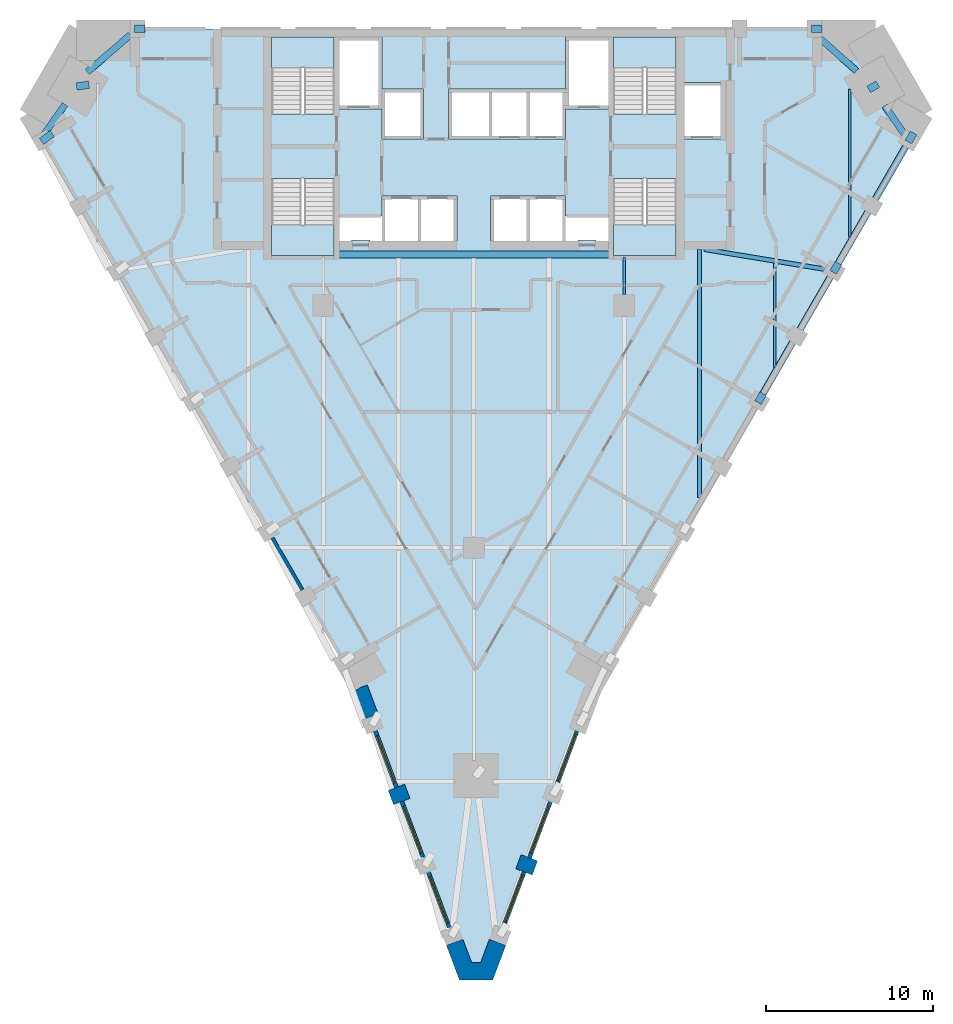
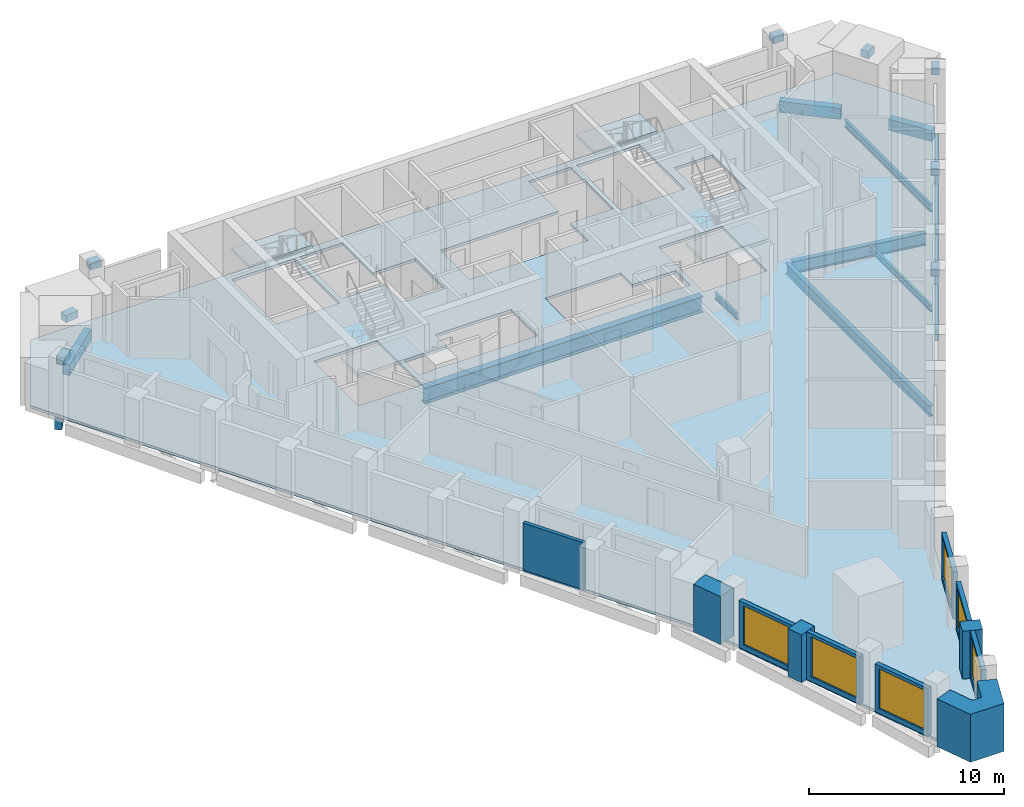
# One storey, part 2 of 10: 20 beams, 11 walls, 6 windows, 5 slabs, 6 openings, 4 elements without a shape of their own.
"""IFC4 building model written with IfcOpenShell, lengths in metres."""

from ifc_helpers import new_model, si_unit, direction, frame, frame_2d, origin, origin_2d, place, context, subcontext, project, spatial, polyline, rectangle, i_section, outline, extrude, material, layer, layer_set, material_profile, profile_set, type_object, element, fill, aggregate, save


model = new_model("IFC4")

# Units and contexts
model_context = context("Model", 3, precision=1e-05, world=origin(), true_north=direction((0.0, 1.0)))
body_context = subcontext(model_context, "Body", "Model", "MODEL_VIEW")
ifc_project = project(units=[si_unit("LENGTHUNIT", "METRE"), si_unit("AREAUNIT", "SQUARE_METRE"), si_unit("VOLUMEUNIT", "CUBIC_METRE"), si_unit("PLANEANGLEUNIT", "RADIAN"), si_unit("MASSUNIT", "GRAM", prefix="KILO")], contexts=[model_context])

# Site, building, storey
site_placement = place(None, origin())
site = spatial("IfcSite", under=ifc_project, at=site_placement, CompositionType="ELEMENT")
building_placement = place(site_placement, origin())
building = spatial("IfcBuilding", under=site, at=building_placement, Name="Calabash Gate Tower", CompositionType="ELEMENT")
storey_placement = place(building_placement, frame((0.0, 0.0, 164.10009765625)))
storey = spatial("IfcBuildingStorey", under=building, at=storey_placement, Name="L38", CompositionType="ELEMENT", Elevation=164.10009765625)

# Beams
ifc_material_1 = material(Name="Concrete C80/95", Category="concrete")
ifc_material_profile_1 = material_profile(ifc_material_1, rectangle(XDim=0.449951171875, YDim=0.449951171875, at=origin_2d()))
ifc_profile_set_1 = profile_set([ifc_material_profile_1], Name="Concrete C80/95")
beam_type_1 = type_object("IfcBeamType", Name="Column offset link RC 450x450 Concrete C80/95", PredefinedType="BEAM", material=ifc_profile_set_1)
beam_1_placement = place(storey_placement, frame((23.6259765625, 15.424072265625, 3.50390625), z_axis=(0.866282275329, 0.499554821267, 0.0), x_axis=(-0.499554821267, 0.866282275329, 0.0)))
element("IfcBeam", 1, at=beam_1_placement, inside=storey, type_object=beam_type_1, Name="Column offset link L38 NE", PredefinedType="BEAM", context=body_context, shape_type="SweptSolid", body=[
    extrude(rectangle(XDim=0.449951171875, YDim=0.449951171875, at=origin_2d()), origin(), (0.0, 0.0, 1.0), 0.63037109375),
])
beam_2_placement = place(storey_placement, frame((-23.77294921875, 15.595947265625, 3.50390625), z_axis=(0.989878083719, 0.141920327551, 0.0), x_axis=(-0.141920327551, 0.989878083719, 0.0)))
element("IfcBeam", 2, at=beam_2_placement, inside=storey, type_object=beam_type_1, Name="Column offset link L38 NW", PredefinedType="BEAM", context=body_context, shape_type="SweptSolid", body=[
    extrude(rectangle(XDim=0.449951171875, YDim=0.449951171875, at=origin_2d()), origin(), (0.0, 0.0, 1.0), 0.75341796875),
])
beam_3_placement = place(storey_placement, frame((16.998046875, -3.31396484375, 3.50390625), z_axis=(0.500393920955, 0.865797853931, 0.0), x_axis=(-0.865797853931, 0.500393920955, 0.0)))
element("IfcBeam", 3, at=beam_3_placement, inside=storey, type_object=beam_type_1, Name="Column offset link L38 P11", PredefinedType="BEAM", context=body_context, shape_type="SweptSolid", body=[
    extrude(rectangle(XDim=0.449951171875, YDim=0.449951171875, at=origin_2d()), origin(), (0.0, 0.0, 1.0), 0.62939453125),
])
beam_4_placement = place(storey_placement, frame((21.498046875, 4.47998046875, 3.50390625), z_axis=(0.49972245349, 0.866185586049, 0.0), x_axis=(-0.866185586049, 0.49972245349, 0.0)))
element("IfcBeam", 4, at=beam_4_placement, inside=storey, type_object=beam_type_1, Name="Column offset link L38 P12", PredefinedType="BEAM", context=body_context, shape_type="SweptSolid", body=[
    extrude(rectangle(XDim=0.449951171875, YDim=0.449951171875, at=origin_2d()), origin(), (0.0, 0.0, 1.0), 0.630126953125),
])
beam_5_placement = place(storey_placement, frame((25.998046875, 12.27392578125, 3.50390625), z_axis=(0.499554821267, 0.866282275329, 0.0), x_axis=(-0.866282275329, 0.499554821267, 0.0)))
element("IfcBeam", 5, at=beam_5_placement, inside=storey, type_object=beam_type_1, Name="Column offset link L38 P13", PredefinedType="BEAM", context=body_context, shape_type="SweptSolid", body=[
    extrude(rectangle(XDim=0.449951171875, YDim=0.449951171875, at=origin_2d()), origin(), (0.0, 0.0, 1.0), 0.63037109375),
])
beam_6_placement = place(storey_placement, frame((-20.300048828125, 19.052978515625, 3.50390625), z_axis=(1.0, 0.0, 0.0), x_axis=(0.0, 1.0, 0.0)))
element("IfcBeam", 6, at=beam_6_placement, inside=storey, type_object=beam_type_1, Name="Column offset link L38 P17", PredefinedType="BEAM", context=body_context, shape_type="SweptSolid", body=[
    extrude(rectangle(XDim=0.449951171875, YDim=0.449951171875, at=origin_2d()), origin(), (0.0, 0.0, 1.0), 0.630126953125),
])
beam_7_placement = place(storey_placement, frame((-25.85888671875, 12.31103515625, 3.50390625), z_axis=(0.795867172956, 0.605471256965, 0.0), x_axis=(-0.605471256965, 0.795867172956, 0.0)))
element("IfcBeam", 7, at=beam_7_placement, inside=storey, type_object=beam_type_1, Name="Column offset link L38 P20", PredefinedType="BEAM", context=body_context, shape_type="SweptSolid", body=[
    extrude(rectangle(XDim=0.449951171875, YDim=0.449951171875, at=origin_2d()), origin(), (0.0, 0.0, 1.0), 0.797607421875),
])
beam_8_placement = place(storey_placement, frame((20.199951171875, 19.052978515625, 3.50390625), z_axis=(1.0, 0.0, 0.0), x_axis=(0.0, 1.0, 0.0)))
element("IfcBeam", 8, at=beam_8_placement, inside=storey, type_object=beam_type_1, Name="Column offset link L38 P24", PredefinedType="BEAM", context=body_context, shape_type="SweptSolid", body=[
    extrude(rectangle(XDim=0.449951171875, YDim=0.449951171875, at=origin_2d()), origin(), (0.0, 0.0, 1.0), 0.630126953125),
])
ifc_material_2 = material(Name="Concrete C50/60", Category="concrete")
ifc_material_profile_2 = material_profile(ifc_material_2, rectangle(XDim=0.39990234375, YDim=0.699951171875, at=origin_2d()))
ifc_profile_set_2 = profile_set([ifc_material_profile_2], Name="Concrete C50/60")
beam_type_2 = type_object("IfcBeamType", Name="Edge beam RC 400x700 Concrete C50/60", PredefinedType="BEAM", material=ifc_profile_set_2)
for number, where, z_axis, x_axis, name in (
    (9, (17.06298828125, -3.200927734375, -0.52001953125), (0.500090067066, 0.865973397295, 0.0), (-0.865973397295, 0.500090067066, 0.0), "Edge beam L38 13"),
    (10, (21.56298828125, 4.593017578125, -0.52001953125), (0.500090067066, 0.865973397295, 0.0), (-0.865973397295, 0.500090067066, 0.0), "Edge beam L38 14"),
):
    element("IfcBeam", number, at=place(storey_placement, frame(where, z_axis=z_axis, x_axis=x_axis)), inside=storey, type_object=beam_type_2, Name=name, PredefinedType="BEAM", context=body_context, shape_type="SweptSolid", body=[
        extrude(rectangle(XDim=0.39990234375, YDim=0.699951171875, at=origin_2d()), origin(), (0.0, 0.0, 1.0), 8.54638671875),
    ])
beam_9_placement = place(storey_placement, frame((25.98193359375, 12.44189453125, -0.52001953125), z_axis=(-0.57298674454, 0.81956463478, 0.0), x_axis=(-0.81956463478, -0.57298674454, 0.0)))
element("IfcBeam", 11, at=beam_9_placement, inside=storey, type_object=beam_type_2, Name="Edge beam L38 15", PredefinedType="BEAM", context=body_context, shape_type="SweptSolid", body=[
    extrude(rectangle(XDim=0.39990234375, YDim=0.699951171875, at=origin_2d()), origin(), (0.0, 0.0, 1.0), 2.446533203125),
])
beam_10_placement = place(storey_placement, frame((22.89794921875, 16.533935546875, -0.52001953125), z_axis=(-0.747778716146, 0.663948033869, 0.0), x_axis=(-0.663948033869, -0.747778716146, 0.0)))
element("IfcBeam", 12, at=beam_10_placement, inside=storey, type_object=beam_type_2, Name="Edge beam L38 16", PredefinedType="BEAM", context=body_context, shape_type="SweptSolid", body=[
    extrude(rectangle(XDim=0.39990234375, YDim=0.699951171875, at=origin_2d()), origin(), (0.0, 0.0, 1.0), 3.244384765625),
])
beam_11_placement = place(storey_placement, frame((-20.5458984375, 18.69189453125, -0.52001953125), z_axis=(-0.756580943193, -0.65390005077, 0.0), x_axis=(0.65390005077, -0.756580943193, 0.0)))
element("IfcBeam", 13, at=beam_11_placement, inside=storey, type_object=beam_type_2, Name="Edge beam L38 17", PredefinedType="BEAM", context=body_context, shape_type="SweptSolid", body=[
    extrude(rectangle(XDim=0.39990234375, YDim=0.699951171875, at=origin_2d()), origin(), (0.0, 0.0, 1.0), 3.40234375),
])
beam_12_placement = place(storey_placement, frame((-24.452880859375, 14.528076171875, -0.52001953125), z_axis=(-0.572412684856, -0.819965681121, 0.0), x_axis=(0.819965681121, -0.572412684856, 0.0)))
element("IfcBeam", 14, at=beam_12_placement, inside=storey, type_object=beam_type_2, Name="Edge beam L38 18", PredefinedType="BEAM", context=body_context, shape_type="SweptSolid", body=[
    extrude(rectangle(XDim=0.39990234375, YDim=0.699951171875, at=origin_2d()), origin(), (0.0, 0.0, 1.0), 2.561279296875),
])
ifc_material_3 = material(Name="Steel ASTM A992 Gr50", Category="steel")
ifc_material_profile_3 = material_profile(ifc_material_3, i_section(OverallWidth=0.1396484375, OverallDepth=0.398681640625, WebThickness=0.00634765625, FlangeThickness=0.0087890625, FilletRadius=0.01025390625, at=origin_2d()))
ifc_profile_set_3 = profile_set([ifc_material_profile_3], Name="Steel ASTM A992 Gr50")
beam_type_3 = type_object("IfcBeamType", Name="Floor beam W16x26 ASTM A992 Gr50", PredefinedType="BEAM", material=ifc_profile_set_3)
beam_13_placement = place(storey_placement, frame((9.0, 3.14990234375, -0.369140625), z_axis=(0.0, 1.0, 0.0), x_axis=(-1.0, 0.0, 0.0)))
element("IfcBeam", 15, at=beam_13_placement, inside=storey, type_object=beam_type_3, Name="Floor beam L38 15", PredefinedType="BEAM", context=body_context, shape_type="SweptSolid", body=[
    extrude(i_section(OverallWidth=0.1396484375, OverallDepth=0.398681640625, WebThickness=0.00634765625, FlangeThickness=0.0087890625, FilletRadius=0.01025390625, at=origin_2d()), origin(), (0.0, 0.0, 1.0), 2.253173828125),
])
beam_14_placement = place(storey_placement, frame((18.0, -1.2109375, -0.369140625), z_axis=(0.0, 1.0, 0.0), x_axis=(-1.0, 0.0, 0.0)))
element("IfcBeam", 16, at=beam_14_placement, inside=storey, type_object=beam_type_3, Name="Floor beam L38 17", PredefinedType="BEAM", context=body_context, shape_type="SweptSolid", body=[
    extrude(i_section(OverallWidth=0.1396484375, OverallDepth=0.398681640625, WebThickness=0.00634765625, FlangeThickness=0.0087890625, FilletRadius=0.01025390625, at=origin_2d()), origin(), (0.0, 0.0, 1.0), 6.2509765625),
])
ifc_material_4 = material(Name="Steel ASTM A992 Gr50", Category="steel")
ifc_material_profile_4 = material_profile(ifc_material_4, i_section(OverallWidth=0.15234375, OverallDepth=0.44970703125, WebThickness=0.007568359375, FlangeThickness=0.0107421875, FilletRadius=0.01025390625, at=origin_2d()))
ifc_profile_set_4 = profile_set([ifc_material_profile_4], Name="Steel ASTM A992 Gr50")
beam_type_4 = type_object("IfcBeamType", Name="Floor beam W18x35 ASTM A992 Gr50", PredefinedType="BEAM", material=ifc_profile_set_4)
beam_15_placement = place(storey_placement, frame((22.5, 6.5830078125, -0.39306640625), z_axis=(0.0, 1.0, 0.0), x_axis=(-1.0, 0.0, 0.0)))
element("IfcBeam", 17, at=beam_15_placement, inside=storey, type_object=beam_type_4, Name="Floor beam L38 18", PredefinedType="BEAM", context=body_context, shape_type="SweptSolid", body=[
    extrude(i_section(OverallWidth=0.15234375, OverallDepth=0.44970703125, WebThickness=0.007568359375, FlangeThickness=0.0107421875, FilletRadius=0.01025390625, at=origin_2d()), origin(), (0.0, 0.0, 1.0), 8.863037109375),
])
ifc_material_5 = material(Name="Steel ASTM A992 Gr50", Category="steel")
ifc_material_profile_5 = material_profile(ifc_material_5, i_section(OverallWidth=0.25390625, OverallDepth=0.67822265625, WebThickness=0.01171875, FlangeThickness=0.016357421875, FilletRadius=0.01513671875, at=origin_2d()))
ifc_profile_set_5 = profile_set([ifc_material_profile_5], Name="Steel ASTM A992 Gr50")
beam_type_5 = type_object("IfcBeamType", Name="Floor beam W27x84 ASTM A992 Gr50", PredefinedType="BEAM", material=ifc_profile_set_5)
beam_16_placement = place(storey_placement, frame((13.5, -9.0029296875, -0.509033203125), z_axis=(0.0, 1.0, 0.0), x_axis=(-1.0, 0.0, 0.0)))
element("IfcBeam", 18, at=beam_16_placement, inside=storey, type_object=beam_type_5, Name="Floor beam L38 16", PredefinedType="BEAM", context=body_context, shape_type="SweptSolid", body=[
    extrude(i_section(OverallWidth=0.25390625, OverallDepth=0.67822265625, WebThickness=0.01171875, FlangeThickness=0.016357421875, FilletRadius=0.01513671875, at=origin_2d()), origin(), (0.0, 0.0, 1.0), 14.85595703125),
])
ifc_material_6 = material(Name="Steel ASTM A992 Gr50", Category="steel")
ifc_material_profile_6 = material_profile(ifc_material_6, i_section(OverallWidth=0.2666015625, OverallDepth=0.77978515625, WebThickness=0.0166015625, FlangeThickness=0.030029296875, FilletRadius=0.0166015625, at=origin_2d()))
ifc_profile_set_6 = profile_set([ifc_material_profile_6], Name="Steel ASTM A992 Gr50")
beam_type_6 = type_object("IfcBeamType", Name="Girder W30x148 ASTM A992 Gr50", PredefinedType="BEAM", material=ifc_profile_set_6)
beam_17_placement = place(storey_placement, frame((21.031982421875, 4.6630859375, -0.56005859375), z_axis=(-0.986668449856, 0.162743264251, 0.0), x_axis=(-0.162743264251, -0.986668449856, 0.0)))
element("IfcBeam", 19, at=beam_17_placement, inside=storey, type_object=beam_type_6, Name="Girder L38 3", PredefinedType="BEAM", context=body_context, shape_type="SweptSolid", body=[
    extrude(i_section(OverallWidth=0.2666015625, OverallDepth=0.77978515625, WebThickness=0.0166015625, FlangeThickness=0.030029296875, FilletRadius=0.0166015625, at=origin_2d()), origin(), (0.0, 0.0, 1.0), 7.341796875),
])
ifc_material_7 = material(Name="Steel ASTM A992 Gr50", Category="steel")
ifc_material_profile_7 = material_profile(ifc_material_7, i_section(OverallWidth=0.4013671875, OverallDepth=1.000732421875, WebThickness=0.01904296875, FlangeThickness=0.0361328125, FilletRadius=0.030029296875, at=origin_2d()))
ifc_profile_set_7 = profile_set([ifc_material_profile_7], Name="Steel ASTM A992 Gr50")
beam_type_7 = type_object("IfcBeamType", Name="Girder W40x249 ASTM A992 Gr50", PredefinedType="BEAM", material=ifc_profile_set_7)
beam_18_placement = place(storey_placement, frame((-8.25, 5.552978515625, -0.670166015625), z_axis=(1.0, 0.0, 0.0), x_axis=(0.0, 1.0, 0.0)))
element("IfcBeam", 20, at=beam_18_placement, inside=storey, type_object=beam_type_7, Name="Girder L38 1", PredefinedType="BEAM", context=body_context, shape_type="SweptSolid", body=[
    extrude(i_section(OverallWidth=0.4013671875, OverallDepth=1.000732421875, WebThickness=0.01904296875, FlangeThickness=0.0361328125, FilletRadius=0.030029296875, at=origin_2d()), origin(), (0.0, 0.0, 1.0), 16.5),
])

# Slab
ifc_material_8 = material(Name="Concrete C40/50", Category="concrete")
ifc_layer_1 = layer(ifc_material_8, 0.169921875)
ifc_layer_set_1 = layer_set([ifc_layer_1], Name="Composite floor slab 170 Concrete C40/50")
slab_type_1 = type_object("IfcSlabType", Name="Composite floor slab 170 Concrete C40/50", PredefinedType="FLOOR", material=ifc_layer_set_1)
slab_1_placement = place(storey_placement, frame((0.0, 0.0, -0.170166015625)))
element("IfcSlab", 21, at=slab_1_placement, inside=storey, type_object=slab_type_1, Name="Floor slab L38", PredefinedType="FLOOR", context=body_context, shape_type="SweptSolid", body=[
    extrude(outline(polyline([(-23.755615234375, 19.052490234375), (24.030517578125, 19.052490234375), (26.970947265625, 13.95947265625), (7.137451171875, -20.393310546875), (0.770751953125, -37.33251953125), (-0.495849609375, -37.33251953125), (-6.862548828125, -20.393310546875), (-26.696044921875, 13.95947265625), (-23.755615234375, 19.052490234375)]), holes=[polyline([(-3.25, 9.052490234375), (-5.5, 9.052490234375), (-5.5, 7.8525390625), (-8.050048828125, 7.8525390625), (-8.050048828125, 6.3525390625), (-7.324951171875, 6.3525390625), (-7.324951171875, 6.402587890625), (-6.22509765625, 6.402587890625), (-6.22509765625, 6.3525390625), (-5.5, 6.3525390625), (-3.25, 6.3525390625), (-1.0, 6.3525390625), (-1.0, 9.052490234375), (-3.25, 9.052490234375)]), polyline([(5.5, 6.3525390625), (6.22509765625, 6.3525390625), (6.22509765625, 6.402587890625), (7.324951171875, 6.402587890625), (7.324951171875, 6.3525390625), (8.050048828125, 6.3525390625), (8.050048828125, 7.8525390625), (5.5, 7.8525390625), (5.5, 9.052490234375), (3.25, 9.052490234375), (1.0, 9.052490234375), (1.0, 6.3525390625), (3.25, 6.3525390625), (5.5, 6.3525390625)]), polyline([(-5.5, 12.45263671875), (-3.0, 12.45263671875), (-3.0, 15.45263671875), (-5.5, 15.45263671875), (-5.5, 18.552490234375), (-8.050048828125, 18.552490234375), (-8.050048828125, 14.252685546875), (-5.5, 14.252685546875), (-5.5, 12.45263671875)]), polyline([(-1.5, 15.45263671875), (-1.5, 12.45263671875), (1.0, 12.45263671875), (3.25, 12.45263671875), (5.5, 12.45263671875), (5.5, 14.252685546875), (8.050048828125, 14.252685546875), (8.050048828125, 18.552490234375), (5.5, 18.552490234375), (5.5, 15.45263671875), (3.25, 15.45263671875), (1.0, 15.45263671875), (-1.5, 15.45263671875)]), polyline([(14.85009765625, 15.8525390625), (12.60009765625, 15.8525390625), (12.60009765625, 12.45263671875), (14.85009765625, 12.45263671875), (14.85009765625, 15.8525390625)]), polyline([(-8.35009765625, 18.552490234375), (-12.10009765625, 18.552490234375), (-12.10009765625, 13.95263671875), (-8.35009765625, 13.95263671875), (-8.35009765625, 18.552490234375)]), polyline([(-12.10009765625, 10.1025390625), (-12.10009765625, 5.502685546875), (-8.35009765625, 5.502685546875), (-8.35009765625, 10.1025390625), (-12.10009765625, 10.1025390625)]), polyline([(8.35009765625, 13.95263671875), (12.10009765625, 13.95263671875), (12.10009765625, 18.552490234375), (8.35009765625, 18.552490234375), (8.35009765625, 13.95263671875)]), polyline([(12.10009765625, 5.502685546875), (12.10009765625, 10.1025390625), (8.35009765625, 10.1025390625), (8.35009765625, 5.502685546875), (12.10009765625, 5.502685546875)])]), origin(), (0.0, 0.0, 1.0), 0.170166015625),
])

# Stair, slab
ifc_material_9 = material(Name="Concrete C40/50", Category="concrete")
stair_type = type_object("IfcStairType", Name="Exit stair 22 risers of 177.3 mm", PredefinedType="HALF_TURN_STAIR", material=ifc_material_9)
stair_1_placement = place(storey_placement, origin())
stair_1 = element("IfcStair", 22, at=stair_1_placement, inside=storey, type_object=stair_type, Name="L38 Exit stair ST1", PredefinedType="HALF_TURN_STAIR")
ifc_material_10 = material(Name="Concrete C40/50", Category="concrete")
ifc_layer_2 = layer(ifc_material_10, 0.199951171875)
ifc_layer_set_2 = layer_set([ifc_layer_2], Name="Stair landing SL200")
slab_type_2 = type_object("IfcSlabType", Name="Stair landing SL200", PredefinedType="LANDING", material=ifc_layer_set_2)
slab_2_placement = place(storey_placement, frame((0.0, 0.0, 1.75)))
slab_2 = element("IfcSlab", 23, at=slab_2_placement, type_object=slab_type_2, Name="ST1 landing 1", PredefinedType="LANDING", context=body_context, shape_type="SweptSolid", body=[
    extrude(outline(polyline([(-8.35009765625, 16.74267578125), (-8.35009765625, 18.552490234375), (-12.10009765625, 18.552490234375), (-12.10009765625, 16.74267578125), (-8.35009765625, 16.74267578125)])), origin(), (0.0, 0.0, 1.0), 0.199951171875),
])
aggregate(stair_1, [slab_2])

stair_2_placement = place(storey_placement, origin())
stair_2 = element("IfcStair", 24, at=stair_2_placement, inside=storey, type_object=stair_type, Name="L38 Exit stair ST2", PredefinedType="HALF_TURN_STAIR")
slab_3_placement = place(storey_placement, frame((0.0, 0.0, 1.75)))
slab_3 = element("IfcSlab", 25, at=slab_3_placement, type_object=slab_type_2, Name="ST2 landing 1", PredefinedType="LANDING", context=body_context, shape_type="SweptSolid", body=[
    extrude(outline(polyline([(-12.10009765625, 7.3125), (-12.10009765625, 5.502685546875), (-8.35009765625, 5.502685546875), (-8.35009765625, 7.3125), (-12.10009765625, 7.3125)])), origin(), (0.0, 0.0, 1.0), 0.199951171875),
])
aggregate(stair_2, [slab_3])

stair_3_placement = place(storey_placement, origin())
stair_3 = element("IfcStair", 26, at=stair_3_placement, inside=storey, type_object=stair_type, Name="L38 Exit stair ST3", PredefinedType="HALF_TURN_STAIR")
slab_4_placement = place(storey_placement, frame((0.0, 0.0, 1.75)))
slab_4 = element("IfcSlab", 27, at=slab_4_placement, type_object=slab_type_2, Name="ST3 landing 1", PredefinedType="LANDING", context=body_context, shape_type="SweptSolid", body=[
    extrude(outline(polyline([(12.10009765625, 16.74267578125), (12.10009765625, 18.552490234375), (8.35009765625, 18.552490234375), (8.35009765625, 16.74267578125), (12.10009765625, 16.74267578125)])), origin(), (0.0, 0.0, 1.0), 0.199951171875),
])
aggregate(stair_3, [slab_4])

stair_4_placement = place(storey_placement, origin())
stair_4 = element("IfcStair", 28, at=stair_4_placement, inside=storey, type_object=stair_type, Name="L38 Exit stair ST4", PredefinedType="HALF_TURN_STAIR")
slab_5_placement = place(storey_placement, frame((0.0, 0.0, 1.75)))
slab_5 = element("IfcSlab", 29, at=slab_5_placement, type_object=slab_type_2, Name="ST4 landing 1", PredefinedType="LANDING", context=body_context, shape_type="SweptSolid", body=[
    extrude(outline(polyline([(8.35009765625, 7.3125), (8.35009765625, 5.502685546875), (12.10009765625, 5.502685546875), (12.10009765625, 7.3125), (8.35009765625, 7.3125)])), origin(), (0.0, 0.0, 1.0), 0.199951171875),
])
aggregate(stair_4, [slab_5])

# Walls
ifc_material_11 = material(Name="Terracotta brick masonry, exposed face", Category="masonry")
ifc_layer_3 = layer(ifc_material_11, 1.050048828125)
ifc_layer_set_3 = layer_set([ifc_layer_3], Name="Brick end wall 1050")
wall_type_1 = type_object("IfcWallType", Name="Brick end wall 1050", PredefinedType="SOLIDWALL", material=ifc_layer_set_3)
for number, where, z_axis, x_axis, name in (
    (30, (-3.979248046875, -26.572021484375, 0.0), (0.0, 0.0, 1.0), (-0.936080509118, -0.351785844584, 0.0), "Brick pier S10 wedge1.1"),
    (31, (3.654052734375, -31.15380859375, 0.0), (0.0, 0.0, 1.0), (-0.936080509118, 0.351785844584, 0.0), "Brick pier S10 wedge3.1"),
):
    element("IfcWall", number, at=place(storey_placement, frame(where, z_axis=z_axis, x_axis=x_axis)), inside=storey, type_object=wall_type_1, Name=name, PredefinedType="SOLIDWALL", context=body_context, shape_type="SweptSolid", body=[
        extrude(rectangle(XDim=1.050048828125, YDim=0.89990234375, at=frame_2d((0.52490234375, 0.0))), origin(), (0.0, 0.0, 1.0), 3.0),
    ])
wall_1_placement = place(storey_placement, origin())
element("IfcWall", 32, at=wall_1_placement, inside=storey, type_object=wall_type_1, Name="Brick end wall S10 1", PredefinedType="SOLIDWALL", context=body_context, shape_type="SweptSolid", body=[
    extrude(outline(polyline([(-5.720947265625, -21.938232421875), (-6.37109375, -20.20849609375), (-6.862548828125, -20.393310546875), (-7.317138671875, -20.65576171875), (-7.3388671875, -20.618408203125), (-6.70361328125, -22.307861328125), (-6.70361328125, -22.307861328125), (-6.703857421875, -22.307373046875), (-5.720947265625, -21.938232421875)])), origin(), (0.0, 0.0, 1.0), 3.0),
])
wall_2_placement = place(storey_placement, origin())
element("IfcWall", 33, at=wall_2_placement, inside=storey, type_object=wall_type_1, Name="Brick end wall S10 2", PredefinedType="SOLIDWALL", context=body_context, shape_type="SweptSolid", body=[
    extrude(outline(polyline([(-0.13232421875, -36.8076171875), (-0.654541015625, -35.41796875), (-1.637451171875, -35.787353515625), (-0.859375, -37.857666015625), (1.13427734375, -37.857666015625), (1.912353515625, -35.787353515625), (0.929443359375, -35.41796875), (0.4072265625, -36.8076171875), (-0.13232421875, -36.8076171875)])), origin(), (0.0, 0.0, 1.0), 3.0),
])

# Wall, opening, window
ifc_material_12 = material(Name="Aluminium framed window wall with insulated spandrel", Category="aluminium")
ifc_layer_4 = layer(ifc_material_12, 0.25)
ifc_layer_set_4 = layer_set([ifc_layer_4], Name="Prow window wall 250")
wall_type_2 = type_object("IfcWallType", Name="Prow window wall 250", PredefinedType="ELEMENTEDWALL", material=ifc_layer_set_4)
wall_3_placement = place(storey_placement, frame((-5.895751953125, -22.9658203125, 0.0), z_axis=(0.0, 0.0, 1.0), x_axis=(0.351851706772, -0.936055754986, 0.0)))
wall_3 = element("IfcWall", 34, at=wall_3_placement, inside=storey, type_object=wall_type_2, Name="Prow window wall S10 wedge1.1", PredefinedType="ELEMENTEDWALL", context=body_context, shape_type="SweptSolid", body=[
    extrude(rectangle(XDim=3.599853515625, YDim=0.25, at=frame_2d((1.7998046875, 0.0))), origin(), (0.0, 0.0, 1.0), 2.949951171875),
])
opening_1_placement = place(wall_3_placement, frame((0.300048828125, 0.0, 0.300048828125)))
opening_1 = element("IfcOpeningElement", 35, at=opening_1_placement, cuts=wall_3, Name="Opening WP2L-2450", PredefinedType="OPENING", context=body_context, shape_type="SweptSolid", body=[
    extrude(rectangle(XDim=3.0, YDim=2.449951171875, at=frame_2d((1.5, 1.22509765625))), frame((0.0, 0.135009765625, 0.0), z_axis=(0.0, -1.0, 0.0), x_axis=(1.0, 0.0, 0.0)), (0.0, 0.0, 1.0), 0.27001953125),
])
ifc_material_13 = material(Name="Anodised aluminium frame, bronze finish, impact-rated laminated clear glazing", Category="aluminium")
window_type_1 = type_object("IfcWindowType", Name="Window WP2L 3000x2450", PartitioningType="DOUBLE_PANEL_VERTICAL", PredefinedType="WINDOW", material=ifc_material_13)
window_1_placement = place(opening_1_placement, origin())
window_1 = element("IfcWindow", 36, at=window_1_placement, inside=storey, type_object=window_type_1, Name="Prow window WP2L S10 wedge1.1", OverallHeight=2.449951171875, OverallWidth=3.0, PartitioningType="SINGLE_PANEL", PredefinedType="WINDOW", context=body_context, shape_type="SweptSolid", body=[
    extrude(rectangle(XDim=3.0, YDim=2.449951171875, at=frame_2d((1.5, 1.22509765625))), frame((0.0, 0.030029296875, 0.0), z_axis=(0.0, -1.0, 0.0), x_axis=(1.0, 0.0, 0.0)), (0.0, 0.0, 1.0), 0.06005859375),
])
fill(opening_1, window_1)

wall_4_placement = place(storey_placement, frame((-4.313232421875, -27.176025390625, 0.0), z_axis=(0.0, 0.0, 1.0), x_axis=(0.351838904667, -0.936060567037, 0.0)))
wall_4 = element("IfcWall", 37, at=wall_4_placement, inside=storey, type_object=wall_type_2, Name="Prow window wall S10 wedge1.2", PredefinedType="ELEMENTEDWALL", context=body_context, shape_type="SweptSolid", body=[
    extrude(rectangle(XDim=3.552001953125, YDim=0.25, at=frame_2d((1.77587890625, 0.0))), origin(), (0.0, 0.0, 1.0), 3.0),
])
opening_2_placement = place(wall_4_placement, frame((0.302001953125, 0.0, 0.300048828125)))
opening_2 = element("IfcOpeningElement", 38, at=opening_2_placement, cuts=wall_4, Name="Opening WP2", PredefinedType="OPENING", context=body_context, shape_type="SweptSolid", body=[
    extrude(rectangle(XDim=3.0, YDim=2.5, at=frame_2d((1.5, 1.25))), frame((0.0, 0.135009765625, 0.0), z_axis=(0.0, -1.0, 0.0), x_axis=(1.0, 0.0, 0.0)), (0.0, 0.0, 1.0), 0.27001953125),
])
ifc_material_14 = material(Name="Anodised aluminium frame, bronze finish, impact-rated laminated clear glazing", Category="aluminium")
window_type_2 = type_object("IfcWindowType", Name="Window WP2 3000x2500", PartitioningType="DOUBLE_PANEL_VERTICAL", PredefinedType="WINDOW", material=ifc_material_14)
window_2_placement = place(opening_2_placement, origin())
window_2 = element("IfcWindow", 39, at=window_2_placement, inside=storey, type_object=window_type_2, Name="Prow window WP2 S10 wedge1.2", OverallHeight=2.5, OverallWidth=3.0, PartitioningType="SINGLE_PANEL", PredefinedType="WINDOW", context=body_context, shape_type="SweptSolid", body=[
    extrude(rectangle(XDim=3.0, YDim=2.5, at=frame_2d((1.5, 1.25))), frame((0.0, 0.030029296875, 0.0), z_axis=(0.0, -1.0, 0.0), x_axis=(1.0, 0.0, 0.0)), (0.0, 0.0, 1.0), 0.06005859375),
])
fill(opening_2, window_2)

wall_5_placement = place(storey_placement, frame((-2.711669921875, -31.43701171875, 0.0), z_axis=(0.0, 0.0, 1.0), x_axis=(0.351826590602, -0.936065195457, 0.0)))
wall_5 = element("IfcWall", 40, at=wall_5_placement, inside=storey, type_object=wall_type_2, Name="Prow window wall S10 wedge1.3", PredefinedType="ELEMENTEDWALL", context=body_context, shape_type="SweptSolid", body=[
    extrude(rectangle(XDim=3.500244140625, YDim=0.25, at=frame_2d((1.75, 0.0))), origin(), (0.0, 0.0, 1.0), 3.0),
])
opening_3_placement = place(wall_5_placement, frame((0.25, 0.0, 0.300048828125)))
opening_3 = element("IfcOpeningElement", 41, at=opening_3_placement, cuts=wall_5, Name="Opening WP2", PredefinedType="OPENING", context=body_context, shape_type="SweptSolid", body=[
    extrude(rectangle(XDim=3.0, YDim=2.5, at=frame_2d((1.5, 1.25))), frame((0.0, 0.135009765625, 0.0), z_axis=(0.0, -1.0, 0.0), x_axis=(1.0, 0.0, 0.0)), (0.0, 0.0, 1.0), 0.27001953125),
])
window_3_placement = place(opening_3_placement, origin())
window_3 = element("IfcWindow", 42, at=window_3_placement, inside=storey, type_object=window_type_2, Name="Prow window WP2 S10 wedge1.3", OverallHeight=2.5, OverallWidth=3.0, PartitioningType="SINGLE_PANEL", PredefinedType="WINDOW", context=body_context, shape_type="SweptSolid", body=[
    extrude(rectangle(XDim=3.0, YDim=2.5, at=frame_2d((1.5, 1.25))), frame((0.0, 0.030029296875, 0.0), z_axis=(0.0, -1.0, 0.0), x_axis=(1.0, 0.0, 0.0)), (0.0, 0.0, 1.0), 0.06005859375),
])
fill(opening_3, window_3)

wall_6_placement = place(storey_placement, frame((1.755126953125, -34.71337890625, 0.0), z_axis=(0.0, 0.0, 1.0), x_axis=(0.351838904667, 0.936060567037, 0.0)))
wall_6 = element("IfcWall", 43, at=wall_6_placement, inside=storey, type_object=wall_type_2, Name="Prow window wall S10 wedge3.1", PredefinedType="ELEMENTEDWALL", context=body_context, shape_type="SweptSolid", body=[
    extrude(rectangle(XDim=3.552001953125, YDim=0.25, at=frame_2d((1.77587890625, 0.0))), origin(), (0.0, 0.0, 1.0), 3.0),
])
opening_4_placement = place(wall_6_placement, frame((0.35009765625, 0.0, 0.300048828125)))
opening_4 = element("IfcOpeningElement", 44, at=opening_4_placement, cuts=wall_6, Name="Opening WP2", PredefinedType="OPENING", context=body_context, shape_type="SweptSolid", body=[
    extrude(rectangle(XDim=3.0, YDim=2.5, at=frame_2d((1.5, 1.25))), frame((0.0, 0.135009765625, 0.0), z_axis=(0.0, -1.0, 0.0), x_axis=(1.0, 0.0, 0.0)), (0.0, 0.0, 1.0), 0.27001953125),
])
window_4_placement = place(opening_4_placement, origin())
window_4 = element("IfcWindow", 45, at=window_4_placement, inside=storey, type_object=window_type_2, Name="Prow window WP2 S10 wedge3.1", OverallHeight=2.5, OverallWidth=3.0, PartitioningType="SINGLE_PANEL", PredefinedType="WINDOW", context=body_context, shape_type="SweptSolid", body=[
    extrude(rectangle(XDim=3.0, YDim=2.5, at=frame_2d((1.5, 1.25))), frame((0.0, 0.030029296875, 0.0), z_axis=(0.0, -1.0, 0.0), x_axis=(1.0, 0.0, 0.0)), (0.0, 0.0, 1.0), 0.06005859375),
])
fill(opening_4, window_4)

wall_7_placement = place(storey_placement, frame((3.320068359375, -30.5498046875, 0.0), z_axis=(0.0, 0.0, 1.0), x_axis=(0.351838904667, 0.936060567037, 0.0)))
wall_7 = element("IfcWall", 46, at=wall_7_placement, inside=storey, type_object=wall_type_2, Name="Prow window wall S10 wedge3.2", PredefinedType="ELEMENTEDWALL", context=body_context, shape_type="SweptSolid", body=[
    extrude(rectangle(XDim=3.552001953125, YDim=0.25, at=frame_2d((1.77587890625, 0.0))), origin(), (0.0, 0.0, 1.0), 3.0),
])
opening_5_placement = place(wall_7_placement, frame((0.302001953125, 0.0, 0.300048828125)))
opening_5 = element("IfcOpeningElement", 47, at=opening_5_placement, cuts=wall_7, Name="Opening WP2", PredefinedType="OPENING", context=body_context, shape_type="SweptSolid", body=[
    extrude(rectangle(XDim=3.0, YDim=2.5, at=frame_2d((1.5, 1.25))), frame((0.0, 0.135009765625, 0.0), z_axis=(0.0, -1.0, 0.0), x_axis=(1.0, 0.0, 0.0)), (0.0, 0.0, 1.0), 0.27001953125),
])
window_5_placement = place(opening_5_placement, origin())
window_5 = element("IfcWindow", 48, at=window_5_placement, inside=storey, type_object=window_type_2, Name="Prow window WP2 S10 wedge3.2", OverallHeight=2.5, OverallWidth=3.0, PartitioningType="SINGLE_PANEL", PredefinedType="WINDOW", context=body_context, shape_type="SweptSolid", body=[
    extrude(rectangle(XDim=3.0, YDim=2.5, at=frame_2d((1.5, 1.25))), frame((0.0, 0.030029296875, 0.0), z_axis=(0.0, -1.0, 0.0), x_axis=(1.0, 0.0, 0.0)), (0.0, 0.0, 1.0), 0.06005859375),
])
fill(opening_5, window_5)

wall_8_placement = place(storey_placement, frame((4.904052734375, -26.33544921875, 0.0), z_axis=(0.0, 0.0, 1.0), x_axis=(0.351851706772, 0.936055754986, 0.0)))
wall_8 = element("IfcWall", 49, at=wall_8_placement, inside=storey, type_object=wall_type_2, Name="Prow window wall S10 wedge3.3", PredefinedType="ELEMENTEDWALL", context=body_context, shape_type="SweptSolid", body=[
    extrude(rectangle(XDim=3.599853515625, YDim=0.25, at=frame_2d((1.7998046875, 0.0))), origin(), (0.0, 0.0, 1.0), 2.949951171875),
])
opening_6_placement = place(wall_8_placement, frame((0.39990234375, 0.0, 0.300048828125)))
opening_6 = element("IfcOpeningElement", 50, at=opening_6_placement, cuts=wall_8, Name="Opening WP2L-2450", PredefinedType="OPENING", context=body_context, shape_type="SweptSolid", body=[
    extrude(rectangle(XDim=3.0, YDim=2.449951171875, at=frame_2d((1.5, 1.22509765625))), frame((0.0, 0.135009765625, 0.0), z_axis=(0.0, -1.0, 0.0), x_axis=(1.0, 0.0, 0.0)), (0.0, 0.0, 1.0), 0.27001953125),
])
window_6_placement = place(opening_6_placement, origin())
window_6 = element("IfcWindow", 51, at=window_6_placement, inside=storey, type_object=window_type_1, Name="Prow window WP2L S10 wedge3.3", OverallHeight=2.449951171875, OverallWidth=3.0, PartitioningType="SINGLE_PANEL", PredefinedType="WINDOW", context=body_context, shape_type="SweptSolid", body=[
    extrude(rectangle(XDim=3.0, YDim=2.449951171875, at=frame_2d((1.5, 1.22509765625))), frame((0.0, 0.030029296875, 0.0), z_axis=(0.0, -1.0, 0.0), x_axis=(1.0, 0.0, 0.0)), (0.0, 0.0, 1.0), 0.06005859375),
])
fill(opening_6, window_6)

# Wall
ifc_material_15 = material(Name="Terracotta brick masonry, perforated", Category="masonry")
ifc_layer_5 = layer(ifc_material_15, 0.199951171875)
ifc_layer_set_5 = layer_set([ifc_layer_5], Name="Terracotta jaali screen B")
wall_type_3 = type_object("IfcWallType", Name="Terracotta jaali screen B", PredefinedType="SOLIDWALL", material=ifc_layer_set_5)
wall_9_placement = place(storey_placement, frame((-12.05419921875, -11.40087890625, 0.0), z_axis=(0.0, 0.0, 1.0), x_axis=(0.499961193289, -0.866047807691, 0.0)))
element("IfcWall", 52, at=wall_9_placement, inside=storey, type_object=wall_type_3, Name="SCREEN B S10 SW0.7", PredefinedType="SOLIDWALL", context=body_context, shape_type="SweptSolid", body=[
    extrude(rectangle(XDim=3.599853515625, YDim=0.199951171875, at=frame_2d((1.7998046875, 0.0))), origin(), (0.0, 0.0, 1.0), 2.949951171875),
])

save(model, "model.ifc")
